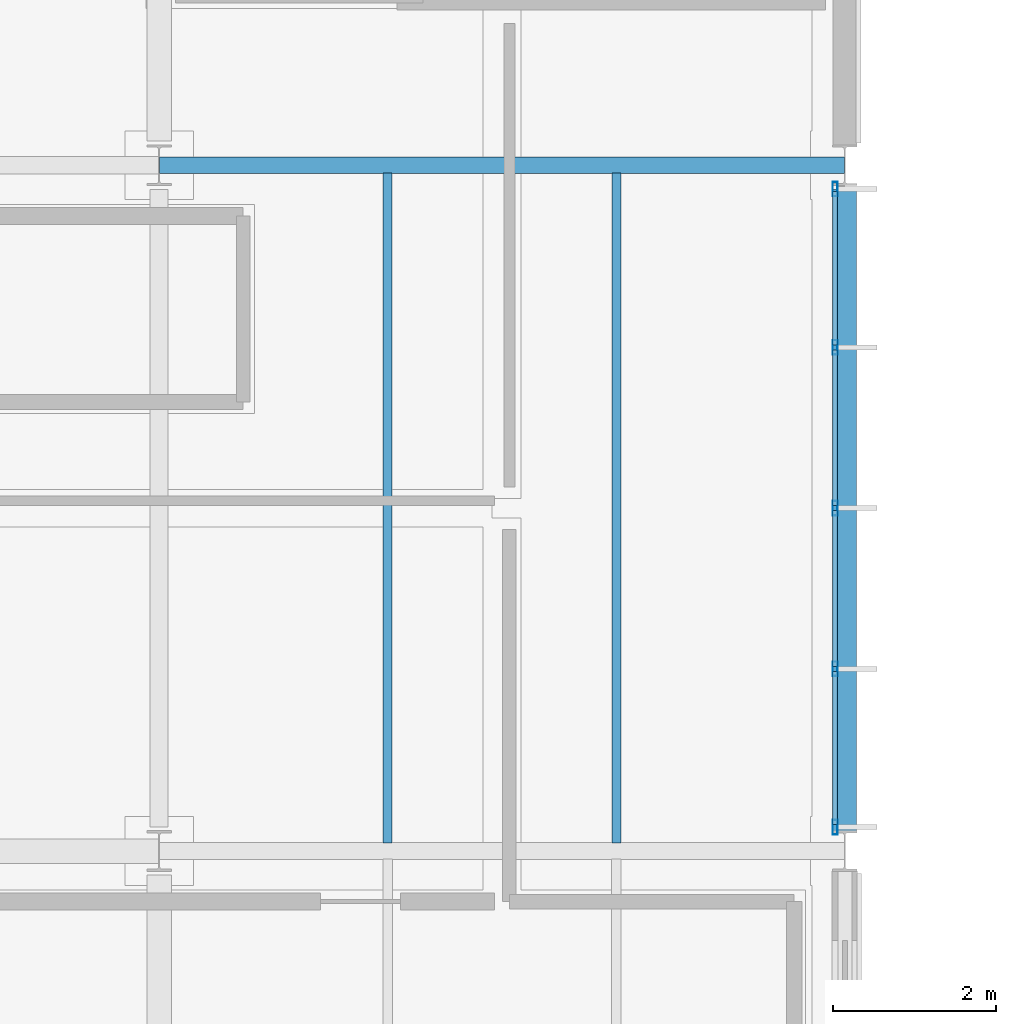
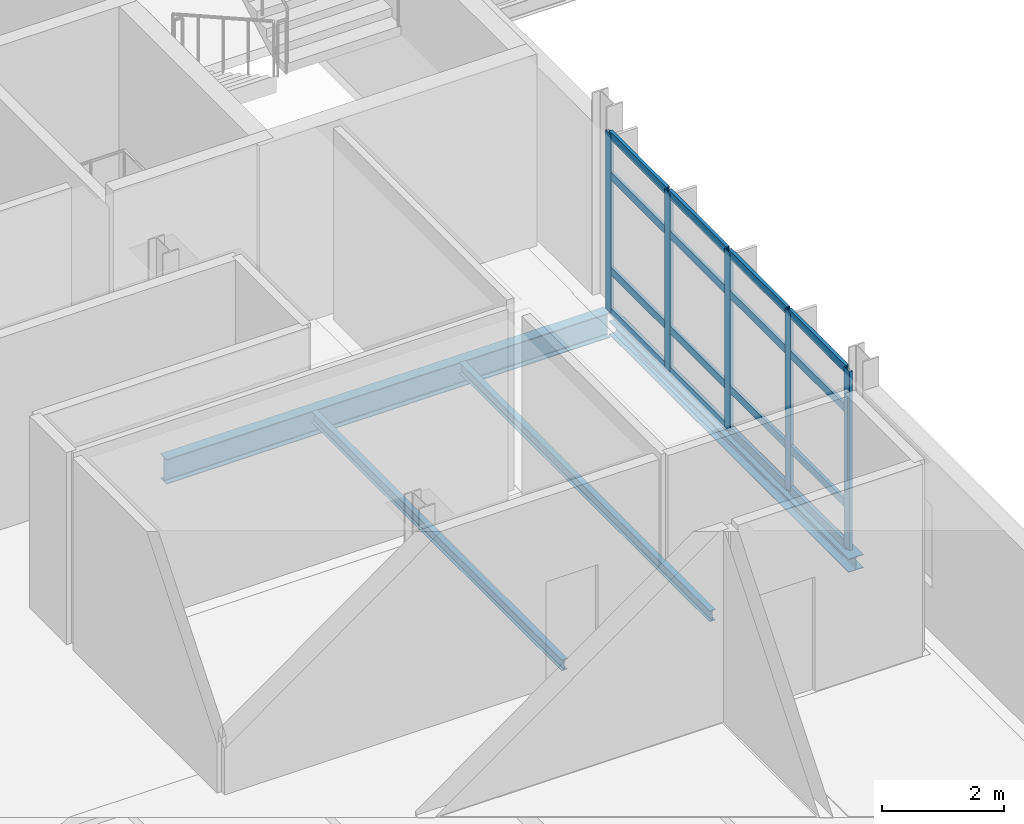
# One storey, part 105 of 151: 21 members, 4 beams, 1 element without a shape of its own.
"""IFC4 building model written with IfcOpenShell, lengths in metres."""

from ifc_helpers import new_model, si_unit, direction, frame, origin, origin_2d, place, context, subcontext, project, spatial, hollow_rectangle, i_section, extrude, material, material_profile, profile_set, type_object, element, aggregate, save


model = new_model("IFC4")

# Units and contexts
model_context = context("Model", 3, precision=1e-05, world=origin(), true_north=direction((0.0, 1.0)))
body_context = subcontext(model_context, "Body", "Model", "MODEL_VIEW")
ifc_project = project(units=[si_unit("LENGTHUNIT", "METRE"), si_unit("AREAUNIT", "SQUARE_METRE"), si_unit("VOLUMEUNIT", "CUBIC_METRE"), si_unit("PLANEANGLEUNIT", "RADIAN"), si_unit("MASSUNIT", "GRAM", prefix="KILO")], contexts=[model_context])

# Site, building, storey
site_placement = place(None, origin())
site = spatial("IfcSite", under=ifc_project, at=site_placement, CompositionType="ELEMENT")
building_placement = place(site_placement, origin())
building = spatial("IfcBuilding", under=site, at=building_placement, Name="Mersafa Astral City Hall", CompositionType="ELEMENT")
storey_placement = place(building_placement, frame((0.0, 0.0, 9.89990234375)))
storey = spatial("IfcBuildingStorey", under=building, at=storey_placement, Name="L02", CompositionType="ELEMENT", Elevation=9.89990234375)

# Curtain wall, members
ifc_material_1 = material(Name="Anodised bronze aluminium framing", Category="aluminium")
curtain_wall_type = type_object("IfcCurtainWallType", Name="ENV-CW-1", PredefinedType="USERDEFINED", material=ifc_material_1)
curtain_wall_placement = place(storey_placement, origin())
curtain_wall = element("IfcCurtainWall", 1, at=curtain_wall_placement, inside=storey, type_object=curtain_wall_type, Name="L02 Unitised solar curtain wall 126", ObjectType="UNITISED CURTAIN WALL", PredefinedType="USERDEFINED")
ifc_material_profile_1 = material_profile(ifc_material_1, hollow_rectangle(XDim=0.06005859375, YDim=0.179931640625, WallThickness=0.00390625, at=origin_2d()), Name="RHS 60x180x4")
ifc_profile_set_1 = profile_set([ifc_material_profile_1], Name="Anodised bronze aluminium framing")
member_type_1 = type_object("IfcMemberType", Name="ENV-CW-MUL-1", PredefinedType="MULLION", material=ifc_profile_set_1)
member_1_placement = place(storey_placement, frame((176.280029296875, 101.092041015625, -0.001953125), z_axis=(0.0, 0.0, 1.0), x_axis=(-1.0, 0.0, 0.0)))
member_1 = element("IfcMember", 2, at=member_1_placement, type_object=member_type_1, Name="CW-1 mullion 1", PredefinedType="MULLION", context=body_context, shape_type="SweptSolid", body=[
    extrude(hollow_rectangle(XDim=0.06005859375, YDim=0.179931640625, WallThickness=0.00390625, at=origin_2d()), origin(), (0.0, 0.0, 1.0), 3.5791015625),
])
member_2_placement = place(storey_placement, frame((176.280029296875, 103.031005859375, -0.001953125), z_axis=(0.0, 0.0, 1.0), x_axis=(-1.0, 0.0, 0.0)))
member_2 = element("IfcMember", 3, at=member_2_placement, type_object=member_type_1, Name="CW-1 mullion 2", PredefinedType="MULLION", context=body_context, shape_type="SweptSolid", body=[
    extrude(hollow_rectangle(XDim=0.06005859375, YDim=0.179931640625, WallThickness=0.00390625, at=origin_2d()), origin(), (0.0, 0.0, 1.0), 3.5791015625),
])
member_3_placement = place(storey_placement, frame((176.280029296875, 105.0, -0.001953125), z_axis=(0.0, 0.0, 1.0), x_axis=(-1.0, 0.0, 0.0)))
member_3 = element("IfcMember", 4, at=member_3_placement, type_object=member_type_1, Name="CW-1 mullion 3", PredefinedType="MULLION", context=body_context, shape_type="SweptSolid", body=[
    extrude(hollow_rectangle(XDim=0.06005859375, YDim=0.179931640625, WallThickness=0.00390625, at=origin_2d()), origin(), (0.0, 0.0, 1.0), 3.5791015625),
])
member_4_placement = place(storey_placement, frame((176.280029296875, 106.968994140625, -0.001953125), z_axis=(0.0, 0.0, 1.0), x_axis=(-1.0, 0.0, 0.0)))
member_4 = element("IfcMember", 5, at=member_4_placement, type_object=member_type_1, Name="CW-1 mullion 4", PredefinedType="MULLION", context=body_context, shape_type="SweptSolid", body=[
    extrude(hollow_rectangle(XDim=0.06005859375, YDim=0.179931640625, WallThickness=0.00390625, at=origin_2d()), origin(), (0.0, 0.0, 1.0), 3.5791015625),
])
member_5_placement = place(storey_placement, frame((176.280029296875, 108.907958984375, -0.001953125), z_axis=(0.0, 0.0, 1.0), x_axis=(-1.0, 0.0, 0.0)))
member_5 = element("IfcMember", 6, at=member_5_placement, type_object=member_type_1, Name="CW-1 mullion 5", PredefinedType="MULLION", context=body_context, shape_type="SweptSolid", body=[
    extrude(hollow_rectangle(XDim=0.06005859375, YDim=0.179931640625, WallThickness=0.00390625, at=origin_2d()), origin(), (0.0, 0.0, 1.0), 3.5791015625),
])
ifc_material_profile_2 = material_profile(ifc_material_1, hollow_rectangle(XDim=0.06005859375, YDim=0.159912109375, WallThickness=0.00390625, at=origin_2d()), Name="RHS 60x160x4")
ifc_profile_set_2 = profile_set([ifc_material_profile_2], Name="Anodised bronze aluminium framing")
member_type_2 = type_object("IfcMemberType", Name="ENV-CW-TRN-2", PredefinedType="USERDEFINED", material=ifc_profile_set_2)
member_6_placement = place(storey_placement, frame((176.280029296875, 101.1220703125, 0.028076171875), z_axis=(0.0, 1.0, 0.0), x_axis=(-1.0, 0.0, 0.0)))
member_6 = element("IfcMember", 7, at=member_6_placement, type_object=member_type_2, Name="CW-1 transom 1.1", ObjectType="TRANSOM", PredefinedType="USERDEFINED", context=body_context, shape_type="SweptSolid", body=[
    extrude(hollow_rectangle(XDim=0.06005859375, YDim=0.159912109375, WallThickness=0.00390625, at=origin_2d()), origin(), (0.0, 0.0, 1.0), 1.87890625),
])
member_7_placement = place(storey_placement, frame((176.280029296875, 101.1220703125, 0.85009765625), z_axis=(0.0, 1.0, 0.0), x_axis=(-1.0, 0.0, 0.0)))
member_7 = element("IfcMember", 8, at=member_7_placement, type_object=member_type_2, Name="CW-1 transom 1.2", ObjectType="TRANSOM", PredefinedType="USERDEFINED", context=body_context, shape_type="SweptSolid", body=[
    extrude(hollow_rectangle(XDim=0.06005859375, YDim=0.159912109375, WallThickness=0.00390625, at=origin_2d()), origin(), (0.0, 0.0, 1.0), 1.87890625),
])
member_8_placement = place(storey_placement, frame((176.280029296875, 101.1220703125, 2.75), z_axis=(0.0, 1.0, 0.0), x_axis=(-1.0, 0.0, 0.0)))
member_8 = element("IfcMember", 9, at=member_8_placement, type_object=member_type_2, Name="CW-1 transom 1.3", ObjectType="TRANSOM", PredefinedType="USERDEFINED", context=body_context, shape_type="SweptSolid", body=[
    extrude(hollow_rectangle(XDim=0.06005859375, YDim=0.159912109375, WallThickness=0.00390625, at=origin_2d()), origin(), (0.0, 0.0, 1.0), 1.87890625),
])
member_9_placement = place(storey_placement, frame((176.280029296875, 101.1220703125, 3.547119140625), z_axis=(0.0, 1.0, 0.0), x_axis=(-1.0, 0.0, 0.0)))
member_9 = element("IfcMember", 10, at=member_9_placement, type_object=member_type_2, Name="CW-1 transom 1.4", ObjectType="TRANSOM", PredefinedType="USERDEFINED", context=body_context, shape_type="SweptSolid", body=[
    extrude(hollow_rectangle(XDim=0.06005859375, YDim=0.159912109375, WallThickness=0.00390625, at=origin_2d()), origin(), (0.0, 0.0, 1.0), 1.87890625),
])
member_10_placement = place(storey_placement, frame((176.280029296875, 103.06103515625, 0.028076171875), z_axis=(0.0, 1.0, 0.0), x_axis=(-1.0, 0.0, 0.0)))
member_10 = element("IfcMember", 11, at=member_10_placement, type_object=member_type_2, Name="CW-1 transom 2.1", ObjectType="TRANSOM", PredefinedType="USERDEFINED", context=body_context, shape_type="SweptSolid", body=[
    extrude(hollow_rectangle(XDim=0.06005859375, YDim=0.159912109375, WallThickness=0.00390625, at=origin_2d()), origin(), (0.0, 0.0, 1.0), 1.908935546875),
])
member_11_placement = place(storey_placement, frame((176.280029296875, 103.06103515625, 0.85009765625), z_axis=(0.0, 1.0, 0.0), x_axis=(-1.0, 0.0, 0.0)))
member_11 = element("IfcMember", 12, at=member_11_placement, type_object=member_type_2, Name="CW-1 transom 2.2", ObjectType="TRANSOM", PredefinedType="USERDEFINED", context=body_context, shape_type="SweptSolid", body=[
    extrude(hollow_rectangle(XDim=0.06005859375, YDim=0.159912109375, WallThickness=0.00390625, at=origin_2d()), origin(), (0.0, 0.0, 1.0), 1.908935546875),
])
member_12_placement = place(storey_placement, frame((176.280029296875, 103.06103515625, 2.75), z_axis=(0.0, 1.0, 0.0), x_axis=(-1.0, 0.0, 0.0)))
member_12 = element("IfcMember", 13, at=member_12_placement, type_object=member_type_2, Name="CW-1 transom 2.3", ObjectType="TRANSOM", PredefinedType="USERDEFINED", context=body_context, shape_type="SweptSolid", body=[
    extrude(hollow_rectangle(XDim=0.06005859375, YDim=0.159912109375, WallThickness=0.00390625, at=origin_2d()), origin(), (0.0, 0.0, 1.0), 1.908935546875),
])
member_13_placement = place(storey_placement, frame((176.280029296875, 103.06103515625, 3.547119140625), z_axis=(0.0, 1.0, 0.0), x_axis=(-1.0, 0.0, 0.0)))
member_13 = element("IfcMember", 14, at=member_13_placement, type_object=member_type_2, Name="CW-1 transom 2.4", ObjectType="TRANSOM", PredefinedType="USERDEFINED", context=body_context, shape_type="SweptSolid", body=[
    extrude(hollow_rectangle(XDim=0.06005859375, YDim=0.159912109375, WallThickness=0.00390625, at=origin_2d()), origin(), (0.0, 0.0, 1.0), 1.908935546875),
])
member_14_placement = place(storey_placement, frame((176.280029296875, 105.030029296875, 0.028076171875), z_axis=(0.0, 1.0, 0.0), x_axis=(-1.0, 0.0, 0.0)))
member_14 = element("IfcMember", 15, at=member_14_placement, type_object=member_type_2, Name="CW-1 transom 3.1", ObjectType="TRANSOM", PredefinedType="USERDEFINED", context=body_context, shape_type="SweptSolid", body=[
    extrude(hollow_rectangle(XDim=0.06005859375, YDim=0.159912109375, WallThickness=0.00390625, at=origin_2d()), origin(), (0.0, 0.0, 1.0), 1.908935546875),
])
member_15_placement = place(storey_placement, frame((176.280029296875, 105.030029296875, 0.85009765625), z_axis=(0.0, 1.0, 0.0), x_axis=(-1.0, 0.0, 0.0)))
member_15 = element("IfcMember", 16, at=member_15_placement, type_object=member_type_2, Name="CW-1 transom 3.2", ObjectType="TRANSOM", PredefinedType="USERDEFINED", context=body_context, shape_type="SweptSolid", body=[
    extrude(hollow_rectangle(XDim=0.06005859375, YDim=0.159912109375, WallThickness=0.00390625, at=origin_2d()), origin(), (0.0, 0.0, 1.0), 1.908935546875),
])
member_16_placement = place(storey_placement, frame((176.280029296875, 105.030029296875, 2.75), z_axis=(0.0, 1.0, 0.0), x_axis=(-1.0, 0.0, 0.0)))
member_16 = element("IfcMember", 17, at=member_16_placement, type_object=member_type_2, Name="CW-1 transom 3.3", ObjectType="TRANSOM", PredefinedType="USERDEFINED", context=body_context, shape_type="SweptSolid", body=[
    extrude(hollow_rectangle(XDim=0.06005859375, YDim=0.159912109375, WallThickness=0.00390625, at=origin_2d()), origin(), (0.0, 0.0, 1.0), 1.908935546875),
])
member_17_placement = place(storey_placement, frame((176.280029296875, 105.030029296875, 3.547119140625), z_axis=(0.0, 1.0, 0.0), x_axis=(-1.0, 0.0, 0.0)))
member_17 = element("IfcMember", 18, at=member_17_placement, type_object=member_type_2, Name="CW-1 transom 3.4", ObjectType="TRANSOM", PredefinedType="USERDEFINED", context=body_context, shape_type="SweptSolid", body=[
    extrude(hollow_rectangle(XDim=0.06005859375, YDim=0.159912109375, WallThickness=0.00390625, at=origin_2d()), origin(), (0.0, 0.0, 1.0), 1.908935546875),
])
member_18_placement = place(storey_placement, frame((176.280029296875, 106.9990234375, 0.028076171875), z_axis=(0.0, 1.0, 0.0), x_axis=(-1.0, 0.0, 0.0)))
member_18 = element("IfcMember", 19, at=member_18_placement, type_object=member_type_2, Name="CW-1 transom 4.1", ObjectType="TRANSOM", PredefinedType="USERDEFINED", context=body_context, shape_type="SweptSolid", body=[
    extrude(hollow_rectangle(XDim=0.06005859375, YDim=0.159912109375, WallThickness=0.00390625, at=origin_2d()), origin(), (0.0, 0.0, 1.0), 1.87890625),
])
member_19_placement = place(storey_placement, frame((176.280029296875, 106.9990234375, 0.85009765625), z_axis=(0.0, 1.0, 0.0), x_axis=(-1.0, 0.0, 0.0)))
member_19 = element("IfcMember", 20, at=member_19_placement, type_object=member_type_2, Name="CW-1 transom 4.2", ObjectType="TRANSOM", PredefinedType="USERDEFINED", context=body_context, shape_type="SweptSolid", body=[
    extrude(hollow_rectangle(XDim=0.06005859375, YDim=0.159912109375, WallThickness=0.00390625, at=origin_2d()), origin(), (0.0, 0.0, 1.0), 1.87890625),
])
member_20_placement = place(storey_placement, frame((176.280029296875, 106.9990234375, 2.75), z_axis=(0.0, 1.0, 0.0), x_axis=(-1.0, 0.0, 0.0)))
member_20 = element("IfcMember", 21, at=member_20_placement, type_object=member_type_2, Name="CW-1 transom 4.3", ObjectType="TRANSOM", PredefinedType="USERDEFINED", context=body_context, shape_type="SweptSolid", body=[
    extrude(hollow_rectangle(XDim=0.06005859375, YDim=0.159912109375, WallThickness=0.00390625, at=origin_2d()), origin(), (0.0, 0.0, 1.0), 1.87890625),
])
member_21_placement = place(storey_placement, frame((176.280029296875, 106.9990234375, 3.547119140625), z_axis=(0.0, 1.0, 0.0), x_axis=(-1.0, 0.0, 0.0)))
member_21 = element("IfcMember", 22, at=member_21_placement, type_object=member_type_2, Name="CW-1 transom 4.4", ObjectType="TRANSOM", PredefinedType="USERDEFINED", context=body_context, shape_type="SweptSolid", body=[
    extrude(hollow_rectangle(XDim=0.06005859375, YDim=0.159912109375, WallThickness=0.00390625, at=origin_2d()), origin(), (0.0, 0.0, 1.0), 1.87890625),
])
aggregate(curtain_wall, [member_1, member_2, member_3, member_4, member_5, member_6, member_7, member_8, member_9, member_10, member_11, member_12, member_13, member_14, member_15, member_16, member_17, member_18, member_19, member_20, member_21])

# Beams
ifc_material_2 = material(Name="Steel S355", Category="steel")
ifc_material_profile_3 = material_profile(ifc_material_2, i_section(OverallWidth=0.199951171875, OverallDepth=0.5, WebThickness=0.01025390625, FlangeThickness=0.01611328125, FilletRadius=0.02099609375, at=origin_2d()), Name="IPE 500")
ifc_profile_set_3 = profile_set([ifc_material_profile_3], Name="Steel S355")
beam_type_1 = type_object("IfcBeamType", Name="STR-BM-IPE500", PredefinedType="BEAM", material=ifc_profile_set_3)
beam_1_placement = place(storey_placement, frame((168.0029296875, 109.199951171875, -0.449951171875), z_axis=(1.0, 0.0, 0.0), x_axis=(0.0, 1.0, 0.0)))
element("IfcBeam", 23, at=beam_1_placement, inside=storey, type_object=beam_type_1, Name="L02 Primary girder X 20-13", PredefinedType="BEAM", context=body_context, shape_type="SweptSolid", body=[
    extrude(i_section(OverallWidth=0.199951171875, OverallDepth=0.5, WebThickness=0.01025390625, FlangeThickness=0.01611328125, FilletRadius=0.02099609375, at=origin_2d()), origin(), (0.0, 0.0, 1.0), 8.39404296875),
])
ifc_material_profile_4 = material_profile(ifc_material_2, i_section(OverallWidth=0.110107421875, OverallDepth=0.219970703125, WebThickness=0.005859375, FlangeThickness=0.00927734375, FilletRadius=0.011962890625, at=origin_2d()), Name="IPE 220")
ifc_profile_set_4 = profile_set([ifc_material_profile_4], Name="Steel S355")
beam_type_2 = type_object("IfcBeamType", Name="STR-BM-JOIST-IPE220", PredefinedType="JOIST", material=ifc_profile_set_4)
for number, where, z_axis, x_axis, name in (
    (24, (170.800048828125, 100.89990234375, -0.309814453125), (0.0, 1.0, 0.0), (-1.0, 0.0, 0.0), "L02 Composite secondary floor joist 549"),
    (25, (173.60009765625, 100.89990234375, -0.309814453125), (0.0, 1.0, 0.0), (-1.0, 0.0, 0.0), "L02 Composite secondary floor joist 550"),
):
    element("IfcBeam", number, at=place(storey_placement, frame(where, z_axis=z_axis, x_axis=x_axis)), inside=storey, type_object=beam_type_2, Name=name, PredefinedType="JOIST", context=body_context, shape_type="SweptSolid", body=[
        extrude(i_section(OverallWidth=0.110107421875, OverallDepth=0.219970703125, WebThickness=0.005859375, FlangeThickness=0.00927734375, FilletRadius=0.011962890625, at=origin_2d()), origin(), (0.0, 0.0, 1.0), 8.205078125),
    ])
ifc_material_profile_5 = material_profile(ifc_material_2, i_section(OverallWidth=0.280029296875, OverallDepth=0.27001953125, WebThickness=0.008056640625, FlangeThickness=0.012939453125, FilletRadius=0.02392578125, at=origin_2d()), Name="HEA 280")
ifc_profile_set_5 = profile_set([ifc_material_profile_5], Name="Steel S355")
beam_type_3 = type_object("IfcBeamType", Name="STR-BM-SPANDREL-HEA280", PredefinedType="SPANDREL", material=ifc_profile_set_5)
beam_2_placement = place(storey_placement, frame((176.39990234375, 101.044921875, -0.3349609375), z_axis=(0.0, 1.0, 0.0), x_axis=(-1.0, 0.0, 0.0)))
element("IfcBeam", 26, at=beam_2_placement, inside=storey, type_object=beam_type_3, Name="L02 Primary girder Y 21-12", PredefinedType="SPANDREL", context=body_context, shape_type="SweptSolid", body=[
    extrude(i_section(OverallWidth=0.280029296875, OverallDepth=0.27001953125, WebThickness=0.008056640625, FlangeThickness=0.012939453125, FilletRadius=0.02392578125, at=origin_2d()), origin(), (0.0, 0.0, 1.0), 7.860107421875),
])

save(model, "model.ifc")
